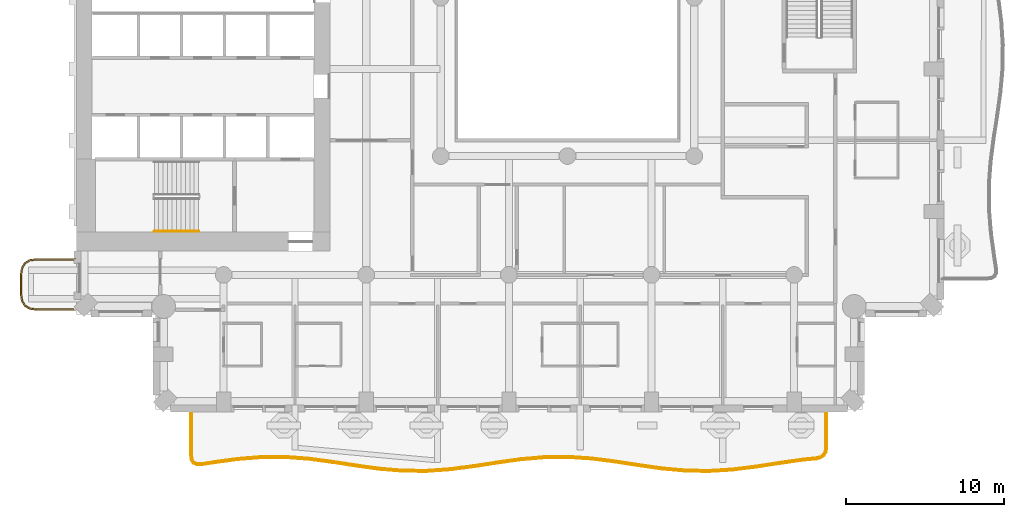
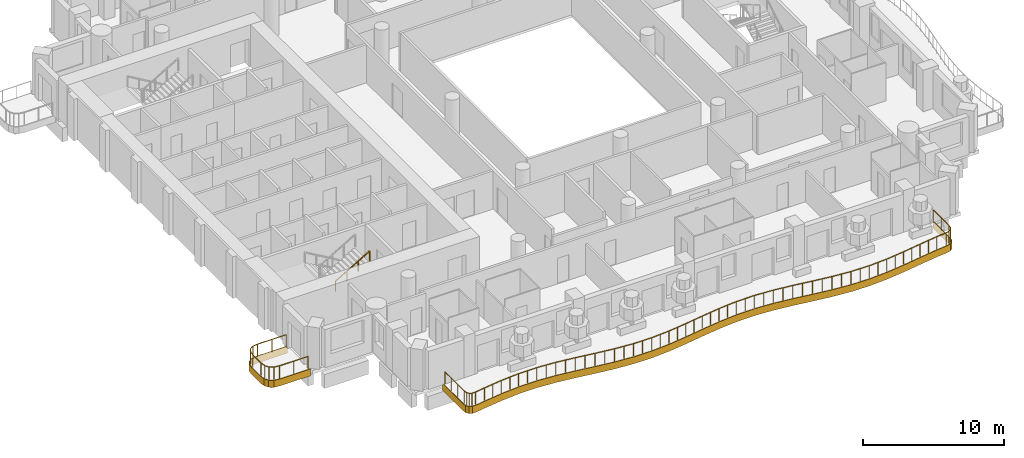
# One storey, part 13 of 20: 3 railings, 2 coverings.
"""IFC4 building model written with IfcOpenShell, lengths in metres."""

from ifc_helpers import new_model, si_unit, direction, frame, origin, origin_2d, place, context, subcontext, project, spatial, polyline, rectangle, outline, extrude, material, layer, layer_set, type_object, element, save


model = new_model("IFC4")

# Units and contexts
model_context = context("Model", 3, precision=1e-05, world=origin(), true_north=direction((0.0, 1.0)))
body_context = subcontext(model_context, "Body", "Model", "MODEL_VIEW")
ifc_project = project(units=[si_unit("LENGTHUNIT", "METRE"), si_unit("AREAUNIT", "SQUARE_METRE"), si_unit("VOLUMEUNIT", "CUBIC_METRE"), si_unit("PLANEANGLEUNIT", "RADIAN"), si_unit("MASSUNIT", "GRAM", prefix="KILO")], contexts=[model_context])

# Site, building, storey
site_placement = place(None, origin())
site = spatial("IfcSite", under=ifc_project, at=site_placement, CompositionType="ELEMENT")
building_placement = place(site_placement, origin())
building = spatial("IfcBuilding", under=site, at=building_placement, Name="Cypress Arch Tower", CompositionType="ELEMENT")
storey_placement = place(building_placement, frame((0.0, 0.0, 123.89990234375)))
storey = spatial("IfcBuildingStorey", under=building, at=storey_placement, Name="L26", CompositionType="ELEMENT", Elevation=123.89990234375)

# Coverings
ifc_material_1 = material(Name="White powder-coated aluminium fascia", Category="aluminium")
ifc_layer = layer(ifc_material_1, 0.050048828125)
ifc_layer_set = layer_set([ifc_layer], Name="Balcony fascia BF50")
covering_type = type_object("IfcCoveringType", Name="Balcony fascia BF50", PredefinedType="CLADDING", material=ifc_layer_set)
covering_1_placement = place(storey_placement, frame((0.0, 0.0, -0.599853515625)))
element("IfcCovering", 1, at=covering_1_placement, inside=storey, type_object=covering_type, Name="Balcony fascia L26-A00W1", PredefinedType="CLADDING", context=body_context, shape_type="SweptSolid", body=[
    extrude(outline(polyline([(-32.503662109375, -19.75), (-32.95458984375, -19.685546875), (-33.286376953125, -19.486328125), (-33.485595703125, -19.154541015625), (-33.550048828125, -18.70361328125), (-33.550048828125, -17.496337890625), (-33.485595703125, -17.04541015625), (-33.286376953125, -16.713623046875), (-32.95458984375, -16.514404296875), (-32.503662109375, -16.449951171875), (-30.0009765625, -16.449951171875), (-30.0009765625, -16.5), (-32.5, -16.5), (-32.9375, -16.5625), (-33.25, -16.75), (-33.4375, -17.0625), (-33.5, -17.5), (-33.5, -18.699951171875), (-33.4375, -19.137451171875), (-33.25, -19.449951171875), (-32.9375, -19.637451171875), (-32.5, -19.699951171875), (-30.0009765625, -19.699951171875), (-30.0009765625, -19.75), (-32.503662109375, -19.75)])), origin(), (0.0, 0.0, 1.0), 0.599853515625),
])
covering_2_placement = place(storey_placement, frame((0.0, 0.0, -0.599853515625)))
element("IfcCovering", 2, at=covering_2_placement, inside=storey, type_object=covering_type, Name="Balcony fascia L26-A03", PredefinedType="CLADDING", context=body_context, shape_type="SweptSolid", body=[
    extrude(outline(polyline([(17.39990234375, -28.367919921875), (17.3564453125, -28.678466796875), (17.220947265625, -28.91845703125), (16.994873046875, -29.076171875), (16.68994140625, -29.14892578125), (15.870849609375, -29.22705078125), (14.386962890625, -29.43994140625), (12.9013671875, -29.6689453125), (11.413818359375, -29.853515625), (9.92529296875, -29.945068359375), (8.436279296875, -29.91943359375), (6.947998046875, -29.783203125), (5.461181640625, -29.57275390625), (3.976318359375, -29.34326171875), (2.493408203125, -29.15478515625), (1.01171875, -29.05712890625), (-0.4697265625, -29.07568359375), (-1.95166015625, -29.205322265625), (-3.435302734375, -29.412353515625), (-4.920654296875, -29.642822265625), (-6.407958984375, -29.83544921875), (-7.896484375, -29.940185546875), (-9.385498046875, -29.9287109375), (-10.8740234375, -29.804443359375), (-12.36083984375, -29.60009765625), (-13.845947265625, -29.36962890625), (-15.3291015625, -29.17333984375), (-16.81103515625, -29.06298828125), (-18.29248046875, -29.067138671875), (-19.7744140625, -29.184814453125), (-21.257568359375, -29.38525390625), (-22.07763671875, -29.5126953125), (-22.384521484375, -29.515869140625), (-22.61669921875, -29.410888671875), (-22.756103515625, -29.197509765625), (-22.800048828125, -28.893798828125), (-22.800048828125, -26.0009765625), (-22.75, -26.0009765625), (-22.75, -28.89013671875), (-22.708251953125, -29.179443359375), (-22.5830078125, -29.371337890625), (-22.3740234375, -29.4658203125), (-22.081787109375, -29.462646484375), (-21.264892578125, -29.335693359375), (-19.779541015625, -29.135009765625), (-18.29443359375, -29.01708984375), (-16.809326171875, -29.012939453125), (-15.323974609375, -29.123779296875), (-13.8388671875, -29.320068359375), (-12.353759765625, -29.55078125), (-10.868408203125, -29.7548828125), (-9.38330078125, -29.878662109375), (-7.898193359375, -29.89013671875), (-6.412841796875, -29.785888671875), (-4.927734375, -29.59326171875), (-3.442626953125, -29.363037109375), (-1.95751953125, -29.15576171875), (-0.47216796875, -29.025634765625), (1.012939453125, -29.007080078125), (2.498046875, -29.10498046875), (3.9833984375, -29.293701171875), (5.468505859375, -29.523193359375), (6.95361328125, -29.733642578125), (8.43896484375, -29.869384765625), (9.924072265625, -29.89501953125), (11.4091796875, -29.8037109375), (12.89453125, -29.619384765625), (14.379638671875, -29.390625), (15.86474609375, -29.17724609375), (16.681640625, -29.099365234375), (16.97412109375, -29.029541015625), (17.182861328125, -28.8837890625), (17.308349609375, -28.662109375), (17.35009765625, -28.364501953125), (17.35009765625, -26.0009765625), (17.39990234375, -26.0009765625), (17.39990234375, -28.367919921875)])), origin(), (0.0, 0.0, 1.0), 0.599853515625),
])

# Railings
ifc_material_2 = material(Name="Powder-coated steel posts and rods, 100 mm clear between rods", Category="steel")
railing_type_1 = type_object("IfcRailingType", Name="Balcony guard GR1100", PredefinedType="GUARDRAIL", material=ifc_material_2)
railing_1_placement = place(storey_placement, frame((-30.14990234375, -19.64990234375, 0.0)))
element("IfcRailing", 3, at=railing_1_placement, inside=storey, type_object=railing_type_1, Name="Balcony guard L26-A00W1", PredefinedType="GUARDRAIL", context=body_context, shape_type="SweptSolid", body=[
    extrude(rectangle(XDim=0.050048828125, YDim=0.050048828125, at=origin_2d()), frame((0.0, 0.0, 1.0751953125), z_axis=(-1.0, 0.0, 0.0), x_axis=(0.0, -1.0, 0.0)), (0.0, 0.0, 1.0), 2.346435546875),
    extrude(rectangle(XDim=0.050048828125, YDim=0.050048828125, at=origin_2d()), frame((-2.346435546875, 0.0, 1.0751953125), z_axis=(-0.989960888959, 0.141341566184, 0.0), x_axis=(-0.141341566184, -0.989960888959, 0.0)), (0.0, 0.0, 1.0), 0.428466796875),
    extrude(rectangle(XDim=0.050048828125, YDim=0.050048828125, at=origin_2d()), frame((-2.7705078125, 0.060546875, 1.0751953125), z_axis=(-0.857681904839, 0.514180659021, 0.0), x_axis=(-0.514180659021, -0.857681904839, 0.0)), (0.0, 0.0, 1.0), 0.341796875),
    extrude(rectangle(XDim=0.050048828125, YDim=0.050048828125, at=origin_2d()), frame((-3.063720703125, 0.236328125, 1.0751953125), z_axis=(-0.514180659021, 0.857681904839, 0.0), x_axis=(-0.857681904839, -0.514180659021, 0.0)), (0.0, 0.0, 1.0), 0.341796875),
    extrude(rectangle(XDim=0.050048828125, YDim=0.050048828125, at=origin_2d()), frame((-3.239501953125, 0.529541015625, 1.0751953125), z_axis=(-0.141421356237, 0.989949493661, 0.0), x_axis=(-0.989949493661, -0.141421356237, 0.0)), (0.0, 0.0, 1.0), 0.42822265625),
    extrude(rectangle(XDim=0.050048828125, YDim=0.050048828125, at=origin_2d()), frame((-3.300048828125, 0.953369140625, 1.0751953125), z_axis=(0.0, 1.0, 0.0), x_axis=(-1.0, 0.0, 0.0)), (0.0, 0.0, 1.0), 1.19287109375),
    extrude(rectangle(XDim=0.050048828125, YDim=0.050048828125, at=origin_2d()), frame((-3.300048828125, 2.146240234375, 1.0751953125), z_axis=(0.141341566184, 0.989960888959, 0.0), x_axis=(-0.989960888959, 0.141341566184, 0.0)), (0.0, 0.0, 1.0), 0.428466796875),
    extrude(rectangle(XDim=0.050048828125, YDim=0.050048828125, at=origin_2d()), frame((-3.239501953125, 2.5703125, 1.0751953125), z_axis=(0.514180659021, 0.857681904839, 0.0), x_axis=(-0.857681904839, 0.514180659021, 0.0)), (0.0, 0.0, 1.0), 0.341796875),
    extrude(rectangle(XDim=0.050048828125, YDim=0.050048828125, at=origin_2d()), frame((-3.063720703125, 2.863525390625, 1.0751953125), z_axis=(0.857681904839, 0.514180659021, 0.0), x_axis=(-0.514180659021, 0.857681904839, 0.0)), (0.0, 0.0, 1.0), 0.341796875),
    extrude(rectangle(XDim=0.050048828125, YDim=0.050048828125, at=origin_2d()), frame((-2.7705078125, 3.039306640625, 1.0751953125), z_axis=(0.989960888959, 0.141341566184, 0.0), x_axis=(-0.141341566184, 0.989960888959, 0.0)), (0.0, 0.0, 1.0), 0.428466796875),
    extrude(rectangle(XDim=0.050048828125, YDim=0.050048828125, at=origin_2d()), frame((-2.346435546875, 3.099853515625, 1.0751953125), z_axis=(1.0, 0.0, 0.0), x_axis=(0.0, 1.0, 0.0)), (0.0, 0.0, 1.0), 2.346435546875),
    extrude(rectangle(XDim=0.0400390625, YDim=0.0400390625, at=origin_2d()), origin(), (0.0, 0.0, 1.0), 1.050048828125),
    extrude(rectangle(XDim=0.0400390625, YDim=0.0400390625, at=origin_2d()), frame((-1.17333984375, 0.0, 0.0)), (0.0, 0.0, 1.0), 1.050048828125),
    extrude(rectangle(XDim=0.0400390625, YDim=0.0400390625, at=origin_2d()), frame((-2.346435546875, 0.0, 0.0)), (0.0, 0.0, 1.0), 1.050048828125),
    extrude(rectangle(XDim=0.0400390625, YDim=0.0400390625, at=origin_2d()), frame((-2.7705078125, 0.060546875, 0.0)), (0.0, 0.0, 1.0), 1.050048828125),
    extrude(rectangle(XDim=0.0400390625, YDim=0.0400390625, at=origin_2d()), frame((-3.063720703125, 0.236328125, 0.0)), (0.0, 0.0, 1.0), 1.050048828125),
    extrude(rectangle(XDim=0.0400390625, YDim=0.0400390625, at=origin_2d()), frame((-3.239501953125, 0.529541015625, 0.0)), (0.0, 0.0, 1.0), 1.050048828125),
    extrude(rectangle(XDim=0.0400390625, YDim=0.0400390625, at=origin_2d()), frame((-3.300048828125, 0.953369140625, 0.0)), (0.0, 0.0, 1.0), 1.050048828125),
    extrude(rectangle(XDim=0.0400390625, YDim=0.0400390625, at=origin_2d()), frame((-3.300048828125, 2.146240234375, 0.0)), (0.0, 0.0, 1.0), 1.050048828125),
    extrude(rectangle(XDim=0.0400390625, YDim=0.0400390625, at=origin_2d()), frame((-3.239501953125, 2.5703125, 0.0)), (0.0, 0.0, 1.0), 1.050048828125),
    extrude(rectangle(XDim=0.0400390625, YDim=0.0400390625, at=origin_2d()), frame((-3.063720703125, 2.863525390625, 0.0)), (0.0, 0.0, 1.0), 1.050048828125),
    extrude(rectangle(XDim=0.0400390625, YDim=0.0400390625, at=origin_2d()), frame((-2.7705078125, 3.039306640625, 0.0)), (0.0, 0.0, 1.0), 1.050048828125),
    extrude(rectangle(XDim=0.0400390625, YDim=0.0400390625, at=origin_2d()), frame((-2.346435546875, 3.099853515625, 0.0)), (0.0, 0.0, 1.0), 1.050048828125),
    extrude(rectangle(XDim=0.0400390625, YDim=0.0400390625, at=origin_2d()), frame((-1.17333984375, 3.099853515625, 0.0)), (0.0, 0.0, 1.0), 1.050048828125),
    extrude(rectangle(XDim=0.0400390625, YDim=0.0400390625, at=origin_2d()), frame((0.0, 3.099853515625, 0.0)), (0.0, 0.0, 1.0), 1.050048828125),
])
railing_2_placement = place(storey_placement, frame((17.300048828125, -26.14990234375, 0.0)))
element("IfcRailing", 4, at=railing_2_placement, inside=storey, type_object=railing_type_1, Name="Balcony guard L26-A03", PredefinedType="GUARDRAIL", context=body_context, shape_type="SweptSolid", body=[
    extrude(rectangle(XDim=0.050048828125, YDim=0.050048828125, at=origin_2d()), frame((0.0, 0.0, 1.0751953125), z_axis=(0.0, -1.0, 0.0), x_axis=(1.0, 0.0, 0.0)), (0.0, 0.0, 1.0), 2.2109375),
    extrude(rectangle(XDim=0.050048828125, YDim=0.050048828125, at=origin_2d()), frame((0.0, -2.2109375, 1.0751953125), z_axis=(-0.139163819362, -0.990269373141, 0.0), x_axis=(0.990269373141, -0.139163819362, 0.0)), (0.0, 0.0, 1.0), 0.28759765625),
    extrude(rectangle(XDim=0.050048828125, YDim=0.050048828125, at=origin_2d()), frame((-0.0400390625, -2.495849609375, 1.0751953125), z_axis=(-0.491747600372, -0.870737789193, 0.0), x_axis=(0.870737789193, -0.491747600372, 0.0)), (0.0, 0.0, 1.0), 0.23388671875),
    extrude(rectangle(XDim=0.050048828125, YDim=0.050048828125, at=origin_2d()), frame((-0.155029296875, -2.699462890625, 1.0751953125), z_axis=(-0.820309143391, -0.571920369692, 0.0), x_axis=(0.571920369692, -0.820309143391, 0.0)), (0.0, 0.0, 1.0), 0.23388671875),
    extrude(rectangle(XDim=0.050048828125, YDim=0.050048828125, at=origin_2d()), frame((-0.346923828125, -2.833251953125, 1.0751953125), z_axis=(-0.972587237456, -0.232538309828, 0.0), x_axis=(0.232538309828, -0.972587237456, 0.0)), (0.0, 0.0, 1.0), 0.28759765625),
    extrude(rectangle(XDim=0.050048828125, YDim=0.050048828125, at=origin_2d()), frame((-0.626708984375, -2.900146484375, 1.0751953125), z_axis=(-0.995487422064, -0.094893585197, 0.0), x_axis=(0.094893585197, -0.995487422064, 0.0)), (0.0, 0.0, 1.0), 0.818115234375),
    extrude(rectangle(XDim=0.050048828125, YDim=0.050048828125, at=origin_2d()), frame((-1.441162109375, -2.977783203125, 1.0751953125), z_axis=(-0.989854986256, -0.142081336506, 0.0), x_axis=(0.142081336506, -0.989854986256, 0.0)), (0.0, 0.0, 1.0), 1.501708984375),
    extrude(rectangle(XDim=0.050048828125, YDim=0.050048828125, at=origin_2d()), frame((-2.927734375, -3.191162109375, 1.0751953125), z_axis=(-0.988339738958, -0.152264770701, 0.0), x_axis=(0.152264770701, -0.988339738958, 0.0)), (0.0, 0.0, 1.0), 1.50244140625),
    extrude(rectangle(XDim=0.050048828125, YDim=0.050048828125, at=origin_2d()), frame((-4.41259765625, -3.419921875, 1.0751953125), z_axis=(-0.992383087292, -0.123190129703, 0.0), x_axis=(0.123190129703, -0.992383087292, 0.0)), (0.0, 0.0, 1.0), 1.494384765625),
    extrude(rectangle(XDim=0.050048828125, YDim=0.050048828125, at=origin_2d()), frame((-5.8955078125, -3.60400390625, 1.0751953125), z_axis=(-0.998116675452, -0.061344129172, 0.0), x_axis=(0.061344129172, -0.998116675452, 0.0)), (0.0, 0.0, 1.0), 1.484375),
    extrude(rectangle(XDim=0.050048828125, YDim=0.050048828125, at=origin_2d()), frame((-7.377197265625, -3.695068359375, 1.0751953125), z_axis=(-0.999853109742, 0.017139397299, 0.0), x_axis=(-0.017139397299, -0.999853109742, 0.0)), (0.0, 0.0, 1.0), 1.4814453125),
    extrude(rectangle(XDim=0.050048828125, YDim=0.050048828125, at=origin_2d()), frame((-8.8583984375, -3.669677734375, 1.0751953125), z_axis=(-0.99584736526, 0.09103859129, 0.0), x_axis=(-0.09103859129, -0.99584736526, 0.0)), (0.0, 0.0, 1.0), 1.48828125),
    extrude(rectangle(XDim=0.050048828125, YDim=0.050048828125, at=origin_2d()), frame((-10.340576171875, -3.5341796875, 1.0751953125), z_axis=(-0.990111764416, 0.140280768333, 0.0), x_axis=(-0.140280768333, -0.990111764416, 0.0)), (0.0, 0.0, 1.0), 1.49853515625),
    extrude(rectangle(XDim=0.050048828125, YDim=0.050048828125, at=origin_2d()), frame((-11.82421875, -3.323974609375, 1.0751953125), z_axis=(-0.988253112956, 0.152825994953, 0.0), x_axis=(-0.152825994953, -0.988253112956, 0.0)), (0.0, 0.0, 1.0), 1.503173828125),
    extrude(rectangle(XDim=0.050048828125, YDim=0.050048828125, at=origin_2d()), frame((-13.309814453125, -3.09423828125, 1.0751953125), z_axis=(-0.992045676609, 0.12587841563, 0.0), x_axis=(-0.12587841563, -0.992045676609, 0.0)), (0.0, 0.0, 1.0), 1.499267578125),
    extrude(rectangle(XDim=0.050048828125, YDim=0.050048828125, at=origin_2d()), frame((-14.797119140625, -2.905517578125, 1.0751953125), z_axis=(-0.997833411032, 0.065791213914, 0.0), x_axis=(-0.065791213914, -0.997833411032, 0.0)), (0.0, 0.0, 1.0), 1.49169921875),
    extrude(rectangle(XDim=0.050048828125, YDim=0.050048828125, at=origin_2d()), frame((-16.28564453125, -2.807373046875, 1.0751953125), z_axis=(-0.999924399266, -0.012296168215, 0.0), x_axis=(0.012296168215, -0.999924399266, 0.0)), (0.0, 0.0, 1.0), 1.489013671875),
    extrude(rectangle(XDim=0.050048828125, YDim=0.050048828125, at=origin_2d()), frame((-17.774658203125, -2.82568359375, 1.0751953125), z_axis=(-0.996186442698, -0.08725005091, 0.0), x_axis=(0.08725005091, -0.996186442698, 0.0)), (0.0, 0.0, 1.0), 1.494140625),
    extrude(rectangle(XDim=0.050048828125, YDim=0.050048828125, at=origin_2d()), frame((-19.26318359375, -2.9560546875, 1.0751953125), z_axis=(-0.990399718208, -0.138233129799, 0.0), x_axis=(0.138233129799, -0.990399718208, 0.0)), (0.0, 0.0, 1.0), 1.501220703125),
    extrude(rectangle(XDim=0.050048828125, YDim=0.050048828125, at=origin_2d()), frame((-20.75, -3.16357421875, 1.0751953125), z_axis=(-0.988192572772, -0.153216967465, 0.0), x_axis=(0.153216967465, -0.988192572772, 0.0)), (0.0, 0.0, 1.0), 1.502685546875),
    extrude(rectangle(XDim=0.050048828125, YDim=0.050048828125, at=origin_2d()), frame((-22.23486328125, -3.393798828125, 1.0751953125), z_axis=(-0.9916920978, -0.128634300093, 0.0), x_axis=(0.128634300093, -0.9916920978, 0.0)), (0.0, 0.0, 1.0), 1.49560546875),
    extrude(rectangle(XDim=0.050048828125, YDim=0.050048828125, at=origin_2d()), frame((-23.718017578125, -3.586181640625, 1.0751953125), z_axis=(-0.997545552738, -0.070020498512, 0.0), x_axis=(0.070020498512, -0.997545552738, 0.0)), (0.0, 0.0, 1.0), 1.4853515625),
    extrude(rectangle(XDim=0.050048828125, YDim=0.050048828125, at=origin_2d()), frame((-25.19970703125, -3.690185546875, 1.0751953125), z_axis=(-0.999971267342, 0.007580533668, 0.0), x_axis=(-0.007580533668, -0.999971267342, 0.0)), (0.0, 0.0, 1.0), 1.4814453125),
    extrude(rectangle(XDim=0.050048828125, YDim=0.050048828125, at=origin_2d()), frame((-26.68115234375, -3.678955078125, 1.0751953125), z_axis=(-0.996529888909, 0.083235692533, 0.0), x_axis=(-0.083235692533, -0.996529888909, 0.0)), (0.0, 0.0, 1.0), 1.487060546875),
    extrude(rectangle(XDim=0.050048828125, YDim=0.050048828125, at=origin_2d()), frame((-28.1630859375, -3.55517578125, 1.0751953125), z_axis=(-0.990688738716, 0.1361463293, 0.0), x_axis=(-0.1361463293, -0.990688738716, 0.0)), (0.0, 0.0, 1.0), 1.497314453125),
    extrude(rectangle(XDim=0.050048828125, YDim=0.050048828125, at=origin_2d()), frame((-29.646484375, -3.351318359375, 1.0751953125), z_axis=(-0.98815097937, 0.153484989399, 0.0), x_axis=(-0.153484989399, -0.98815097937, 0.0)), (0.0, 0.0, 1.0), 1.503173828125),
    extrude(rectangle(XDim=0.050048828125, YDim=0.050048828125, at=origin_2d()), frame((-31.1318359375, -3.12060546875, 1.0751953125), z_axis=(-0.991379344388, 0.131022881667, 0.0), x_axis=(-0.131022881667, -0.991379344388, 0.0)), (0.0, 0.0, 1.0), 1.5),
    extrude(rectangle(XDim=0.050048828125, YDim=0.050048828125, at=origin_2d()), frame((-32.618896484375, -2.924072265625, 1.0751953125), z_axis=(-0.99722699261, 0.074419924822, 0.0), x_axis=(-0.074419924822, -0.99722699261, 0.0)), (0.0, 0.0, 1.0), 1.49267578125),
    extrude(rectangle(XDim=0.050048828125, YDim=0.050048828125, at=origin_2d()), frame((-34.107421875, -2.81298828125, 1.0751953125), z_axis=(-0.999995644932, -0.002951290639, 0.0), x_axis=(0.002951290639, -0.999995644932, 0.0)), (0.0, 0.0, 1.0), 1.489013671875),
    extrude(rectangle(XDim=0.050048828125, YDim=0.050048828125, at=origin_2d()), frame((-35.596435546875, -2.8173828125, 1.0751953125), z_axis=(-0.996863959632, -0.07913435402, 0.0), x_axis=(0.07913435402, -0.996863959632, 0.0)), (0.0, 0.0, 1.0), 1.4931640625),
    extrude(rectangle(XDim=0.050048828125, YDim=0.050048828125, at=origin_2d()), frame((-37.0849609375, -2.935546875, 1.0751953125), z_axis=(-0.990994764524, -0.133900622427, 0.0), x_axis=(0.133900622427, -0.990994764524, 0.0)), (0.0, 0.0, 1.0), 1.50048828125),
    extrude(rectangle(XDim=0.050048828125, YDim=0.050048828125, at=origin_2d()), frame((-38.572021484375, -3.136474609375, 1.0751953125), z_axis=(-0.988182421994, -0.153282421894, 0.0), x_axis=(0.153282421894, -0.988182421994, 0.0)), (0.0, 0.0, 1.0), 0.823486328125),
    extrude(rectangle(XDim=0.050048828125, YDim=0.050048828125, at=origin_2d()), frame((-39.3857421875, -3.2626953125, 1.0751953125), z_axis=(-0.999934757637, -0.011422804788, 0.0), x_axis=(0.011422804788, -0.999934757637, 0.0)), (0.0, 0.0, 1.0), 0.27783203125),
    extrude(rectangle(XDim=0.050048828125, YDim=0.050048828125, at=origin_2d()), frame((-39.66357421875, -3.265869140625, 1.0751953125), z_axis=(-0.911022159861, 0.412357398674, 0.0), x_axis=(-0.412357398674, -0.911022159861, 0.0)), (0.0, 0.0, 1.0), 0.20361328125),
    extrude(rectangle(XDim=0.050048828125, YDim=0.050048828125, at=origin_2d()), frame((-39.84912109375, -3.181884765625, 1.0751953125), z_axis=(-0.546926167925, 0.837180844763, 0.0), x_axis=(-0.837180844763, -0.546926167925, 0.0)), (0.0, 0.0, 1.0), 0.20361328125),
    extrude(rectangle(XDim=0.050048828125, YDim=0.050048828125, at=origin_2d()), frame((-39.96044921875, -3.011474609375, 1.0751953125), z_axis=(-0.142405820365, 0.989808356363, 0.0), x_axis=(-0.989808356363, -0.142405820365, 0.0)), (0.0, 0.0, 1.0), 0.27783203125),
    extrude(rectangle(XDim=0.050048828125, YDim=0.050048828125, at=origin_2d()), frame((-40.0, -2.736572265625, 1.0751953125), z_axis=(0.0, 1.0, 0.0), x_axis=(-1.0, 0.0, 0.0)), (0.0, 0.0, 1.0), 2.736572265625),
    extrude(rectangle(XDim=0.0400390625, YDim=0.0400390625, at=origin_2d()), origin(), (0.0, 0.0, 1.0), 1.050048828125),
    extrude(rectangle(XDim=0.0400390625, YDim=0.0400390625, at=origin_2d()), frame((0.0, -1.10546875, 0.0)), (0.0, 0.0, 1.0), 1.050048828125),
    extrude(rectangle(XDim=0.0400390625, YDim=0.0400390625, at=origin_2d()), frame((0.0, -2.2109375, 0.0)), (0.0, 0.0, 1.0), 1.050048828125),
    extrude(rectangle(XDim=0.0400390625, YDim=0.0400390625, at=origin_2d()), frame((-0.0400390625, -2.495849609375, 0.0)), (0.0, 0.0, 1.0), 1.050048828125),
    extrude(rectangle(XDim=0.0400390625, YDim=0.0400390625, at=origin_2d()), frame((-0.155029296875, -2.699462890625, 0.0)), (0.0, 0.0, 1.0), 1.050048828125),
    extrude(rectangle(XDim=0.0400390625, YDim=0.0400390625, at=origin_2d()), frame((-0.346923828125, -2.833251953125, 0.0)), (0.0, 0.0, 1.0), 1.050048828125),
    extrude(rectangle(XDim=0.0400390625, YDim=0.0400390625, at=origin_2d()), frame((-0.626708984375, -2.900146484375, 0.0)), (0.0, 0.0, 1.0), 1.050048828125),
    extrude(rectangle(XDim=0.0400390625, YDim=0.0400390625, at=origin_2d()), frame((-1.441162109375, -2.977783203125, 0.0)), (0.0, 0.0, 1.0), 1.050048828125),
    extrude(rectangle(XDim=0.0400390625, YDim=0.0400390625, at=origin_2d()), frame((-2.1845703125, -3.08447265625, 0.0)), (0.0, 0.0, 1.0), 1.050048828125),
    extrude(rectangle(XDim=0.0400390625, YDim=0.0400390625, at=origin_2d()), frame((-2.927734375, -3.191162109375, 0.0)), (0.0, 0.0, 1.0), 1.050048828125),
    extrude(rectangle(XDim=0.0400390625, YDim=0.0400390625, at=origin_2d()), frame((-3.670166015625, -3.3056640625, 0.0)), (0.0, 0.0, 1.0), 1.050048828125),
    extrude(rectangle(XDim=0.0400390625, YDim=0.0400390625, at=origin_2d()), frame((-4.41259765625, -3.419921875, 0.0)), (0.0, 0.0, 1.0), 1.050048828125),
    extrude(rectangle(XDim=0.0400390625, YDim=0.0400390625, at=origin_2d()), frame((-5.154052734375, -3.511962890625, 0.0)), (0.0, 0.0, 1.0), 1.050048828125),
    extrude(rectangle(XDim=0.0400390625, YDim=0.0400390625, at=origin_2d()), frame((-5.8955078125, -3.60400390625, 0.0)), (0.0, 0.0, 1.0), 1.050048828125),
    extrude(rectangle(XDim=0.0400390625, YDim=0.0400390625, at=origin_2d()), frame((-6.63623046875, -3.6494140625, 0.0)), (0.0, 0.0, 1.0), 1.050048828125),
    extrude(rectangle(XDim=0.0400390625, YDim=0.0400390625, at=origin_2d()), frame((-7.377197265625, -3.695068359375, 0.0)), (0.0, 0.0, 1.0), 1.050048828125),
    extrude(rectangle(XDim=0.0400390625, YDim=0.0400390625, at=origin_2d()), frame((-8.11767578125, -3.682373046875, 0.0)), (0.0, 0.0, 1.0), 1.050048828125),
    extrude(rectangle(XDim=0.0400390625, YDim=0.0400390625, at=origin_2d()), frame((-8.8583984375, -3.669677734375, 0.0)), (0.0, 0.0, 1.0), 1.050048828125),
    extrude(rectangle(XDim=0.0400390625, YDim=0.0400390625, at=origin_2d()), frame((-9.599609375, -3.60205078125, 0.0)), (0.0, 0.0, 1.0), 1.050048828125),
    extrude(rectangle(XDim=0.0400390625, YDim=0.0400390625, at=origin_2d()), frame((-10.340576171875, -3.5341796875, 0.0)), (0.0, 0.0, 1.0), 1.050048828125),
    extrude(rectangle(XDim=0.0400390625, YDim=0.0400390625, at=origin_2d()), frame((-11.08251953125, -3.42919921875, 0.0)), (0.0, 0.0, 1.0), 1.050048828125),
    extrude(rectangle(XDim=0.0400390625, YDim=0.0400390625, at=origin_2d()), frame((-11.82421875, -3.323974609375, 0.0)), (0.0, 0.0, 1.0), 1.050048828125),
    extrude(rectangle(XDim=0.0400390625, YDim=0.0400390625, at=origin_2d()), frame((-12.56689453125, -3.208984375, 0.0)), (0.0, 0.0, 1.0), 1.050048828125),
    extrude(rectangle(XDim=0.0400390625, YDim=0.0400390625, at=origin_2d()), frame((-13.309814453125, -3.09423828125, 0.0)), (0.0, 0.0, 1.0), 1.050048828125),
    extrude(rectangle(XDim=0.0400390625, YDim=0.0400390625, at=origin_2d()), frame((-14.053466796875, -3.0, 0.0)), (0.0, 0.0, 1.0), 1.050048828125),
    extrude(rectangle(XDim=0.0400390625, YDim=0.0400390625, at=origin_2d()), frame((-14.797119140625, -2.905517578125, 0.0)), (0.0, 0.0, 1.0), 1.050048828125),
    extrude(rectangle(XDim=0.0400390625, YDim=0.0400390625, at=origin_2d()), frame((-15.54150390625, -2.8564453125, 0.0)), (0.0, 0.0, 1.0), 1.050048828125),
    extrude(rectangle(XDim=0.0400390625, YDim=0.0400390625, at=origin_2d()), frame((-16.28564453125, -2.807373046875, 0.0)), (0.0, 0.0, 1.0), 1.050048828125),
    extrude(rectangle(XDim=0.0400390625, YDim=0.0400390625, at=origin_2d()), frame((-17.0302734375, -2.81640625, 0.0)), (0.0, 0.0, 1.0), 1.050048828125),
    extrude(rectangle(XDim=0.0400390625, YDim=0.0400390625, at=origin_2d()), frame((-17.774658203125, -2.82568359375, 0.0)), (0.0, 0.0, 1.0), 1.050048828125),
    extrude(rectangle(XDim=0.0400390625, YDim=0.0400390625, at=origin_2d()), frame((-18.51904296875, -2.890869140625, 0.0)), (0.0, 0.0, 1.0), 1.050048828125),
    extrude(rectangle(XDim=0.0400390625, YDim=0.0400390625, at=origin_2d()), frame((-19.26318359375, -2.9560546875, 0.0)), (0.0, 0.0, 1.0), 1.050048828125),
    extrude(rectangle(XDim=0.0400390625, YDim=0.0400390625, at=origin_2d()), frame((-20.006591796875, -3.059814453125, 0.0)), (0.0, 0.0, 1.0), 1.050048828125),
    extrude(rectangle(XDim=0.0400390625, YDim=0.0400390625, at=origin_2d()), frame((-20.75, -3.16357421875, 0.0)), (0.0, 0.0, 1.0), 1.050048828125),
    extrude(rectangle(XDim=0.0400390625, YDim=0.0400390625, at=origin_2d()), frame((-21.492431640625, -3.27880859375, 0.0)), (0.0, 0.0, 1.0), 1.050048828125),
    extrude(rectangle(XDim=0.0400390625, YDim=0.0400390625, at=origin_2d()), frame((-22.23486328125, -3.393798828125, 0.0)), (0.0, 0.0, 1.0), 1.050048828125),
    extrude(rectangle(XDim=0.0400390625, YDim=0.0400390625, at=origin_2d()), frame((-22.9765625, -3.489990234375, 0.0)), (0.0, 0.0, 1.0), 1.050048828125),
    extrude(rectangle(XDim=0.0400390625, YDim=0.0400390625, at=origin_2d()), frame((-23.718017578125, -3.586181640625, 0.0)), (0.0, 0.0, 1.0), 1.050048828125),
    extrude(rectangle(XDim=0.0400390625, YDim=0.0400390625, at=origin_2d()), frame((-24.458984375, -3.63818359375, 0.0)), (0.0, 0.0, 1.0), 1.050048828125),
    extrude(rectangle(XDim=0.0400390625, YDim=0.0400390625, at=origin_2d()), frame((-25.19970703125, -3.690185546875, 0.0)), (0.0, 0.0, 1.0), 1.050048828125),
    extrude(rectangle(XDim=0.0400390625, YDim=0.0400390625, at=origin_2d()), frame((-25.9404296875, -3.6845703125, 0.0)), (0.0, 0.0, 1.0), 1.050048828125),
    extrude(rectangle(XDim=0.0400390625, YDim=0.0400390625, at=origin_2d()), frame((-26.68115234375, -3.678955078125, 0.0)), (0.0, 0.0, 1.0), 1.050048828125),
    extrude(rectangle(XDim=0.0400390625, YDim=0.0400390625, at=origin_2d()), frame((-27.422119140625, -3.6171875, 0.0)), (0.0, 0.0, 1.0), 1.050048828125),
    extrude(rectangle(XDim=0.0400390625, YDim=0.0400390625, at=origin_2d()), frame((-28.1630859375, -3.55517578125, 0.0)), (0.0, 0.0, 1.0), 1.050048828125),
    extrude(rectangle(XDim=0.0400390625, YDim=0.0400390625, at=origin_2d()), frame((-28.90478515625, -3.453125, 0.0)), (0.0, 0.0, 1.0), 1.050048828125),
    extrude(rectangle(XDim=0.0400390625, YDim=0.0400390625, at=origin_2d()), frame((-29.646484375, -3.351318359375, 0.0)), (0.0, 0.0, 1.0), 1.050048828125),
    extrude(rectangle(XDim=0.0400390625, YDim=0.0400390625, at=origin_2d()), frame((-30.38916015625, -3.23583984375, 0.0)), (0.0, 0.0, 1.0), 1.050048828125),
    extrude(rectangle(XDim=0.0400390625, YDim=0.0400390625, at=origin_2d()), frame((-31.1318359375, -3.12060546875, 0.0)), (0.0, 0.0, 1.0), 1.050048828125),
    extrude(rectangle(XDim=0.0400390625, YDim=0.0400390625, at=origin_2d()), frame((-31.87548828125, -3.0224609375, 0.0)), (0.0, 0.0, 1.0), 1.050048828125),
    extrude(rectangle(XDim=0.0400390625, YDim=0.0400390625, at=origin_2d()), frame((-32.618896484375, -2.924072265625, 0.0)), (0.0, 0.0, 1.0), 1.050048828125),
    extrude(rectangle(XDim=0.0400390625, YDim=0.0400390625, at=origin_2d()), frame((-33.36328125, -2.86865234375, 0.0)), (0.0, 0.0, 1.0), 1.050048828125),
    extrude(rectangle(XDim=0.0400390625, YDim=0.0400390625, at=origin_2d()), frame((-34.107421875, -2.81298828125, 0.0)), (0.0, 0.0, 1.0), 1.050048828125),
    extrude(rectangle(XDim=0.0400390625, YDim=0.0400390625, at=origin_2d()), frame((-34.85205078125, -2.815185546875, 0.0)), (0.0, 0.0, 1.0), 1.050048828125),
    extrude(rectangle(XDim=0.0400390625, YDim=0.0400390625, at=origin_2d()), frame((-35.596435546875, -2.8173828125, 0.0)), (0.0, 0.0, 1.0), 1.050048828125),
    extrude(rectangle(XDim=0.0400390625, YDim=0.0400390625, at=origin_2d()), frame((-36.3408203125, -2.87646484375, 0.0)), (0.0, 0.0, 1.0), 1.050048828125),
    extrude(rectangle(XDim=0.0400390625, YDim=0.0400390625, at=origin_2d()), frame((-37.0849609375, -2.935546875, 0.0)), (0.0, 0.0, 1.0), 1.050048828125),
    extrude(rectangle(XDim=0.0400390625, YDim=0.0400390625, at=origin_2d()), frame((-37.82861328125, -3.0361328125, 0.0)), (0.0, 0.0, 1.0), 1.050048828125),
    extrude(rectangle(XDim=0.0400390625, YDim=0.0400390625, at=origin_2d()), frame((-38.572021484375, -3.136474609375, 0.0)), (0.0, 0.0, 1.0), 1.050048828125),
    extrude(rectangle(XDim=0.0400390625, YDim=0.0400390625, at=origin_2d()), frame((-39.3857421875, -3.2626953125, 0.0)), (0.0, 0.0, 1.0), 1.050048828125),
    extrude(rectangle(XDim=0.0400390625, YDim=0.0400390625, at=origin_2d()), frame((-39.66357421875, -3.265869140625, 0.0)), (0.0, 0.0, 1.0), 1.050048828125),
    extrude(rectangle(XDim=0.0400390625, YDim=0.0400390625, at=origin_2d()), frame((-39.84912109375, -3.181884765625, 0.0)), (0.0, 0.0, 1.0), 1.050048828125),
    extrude(rectangle(XDim=0.0400390625, YDim=0.0400390625, at=origin_2d()), frame((-39.96044921875, -3.011474609375, 0.0)), (0.0, 0.0, 1.0), 1.050048828125),
    extrude(rectangle(XDim=0.0400390625, YDim=0.0400390625, at=origin_2d()), frame((-40.0, -2.736572265625, 0.0)), (0.0, 0.0, 1.0), 1.050048828125),
    extrude(rectangle(XDim=0.0400390625, YDim=0.0400390625, at=origin_2d()), frame((-40.0, -1.824462890625, 0.0)), (0.0, 0.0, 1.0), 1.050048828125),
    extrude(rectangle(XDim=0.0400390625, YDim=0.0400390625, at=origin_2d()), frame((-40.0, -0.912109375, 0.0)), (0.0, 0.0, 1.0), 1.050048828125),
    extrude(rectangle(XDim=0.0400390625, YDim=0.0400390625, at=origin_2d()), frame((-40.0, 0.0, 0.0)), (0.0, 0.0, 1.0), 1.050048828125),
])
ifc_material_3 = material(Name="Black powder-coated steel square bar 48 mm", Category="steel")
railing_type_2 = type_object("IfcRailingType", Name="Stair handrail HR1", PredefinedType="HANDRAIL", material=ifc_material_3)
railing_3_placement = place(storey_placement, frame((-25.074951171875, -14.75, 1.963623046875)))
element("IfcRailing", 5, at=railing_3_placement, inside=storey, type_object=railing_type_2, Name="L26 A stair handrail 2", PredefinedType="HANDRAIL", context=body_context, shape_type="SweptSolid", body=[
    extrude(rectangle(XDim=0.048095703125, YDim=0.048095703125, at=origin_2d()), frame((0.0, 0.0, 0.8759765625), z_axis=(0.863360870873, 0.0, 0.504586966384), x_axis=(0.0, 1.0, 0.0)), (0.0, 0.0, 1.0), 3.2431640625),
    extrude(rectangle(XDim=0.0419921875, YDim=0.0419921875, at=origin_2d()), origin(), (0.0, 0.0, 1.0), 0.851806640625),
    extrude(rectangle(XDim=0.0419921875, YDim=0.0419921875, at=origin_2d()), frame((0.933349609375, 0.0, 0.54541015625)), (0.0, 0.0, 1.0), 0.851806640625),
    extrude(rectangle(XDim=0.0419921875, YDim=0.0419921875, at=origin_2d()), frame((1.86669921875, 0.0, 1.091064453125)), (0.0, 0.0, 1.0), 0.851806640625),
    extrude(rectangle(XDim=0.0419921875, YDim=0.0419921875, at=origin_2d()), frame((2.800048828125, 0.0, 1.636474609375)), (0.0, 0.0, 1.0), 0.851806640625),
])

save(model, "model.ifc")
